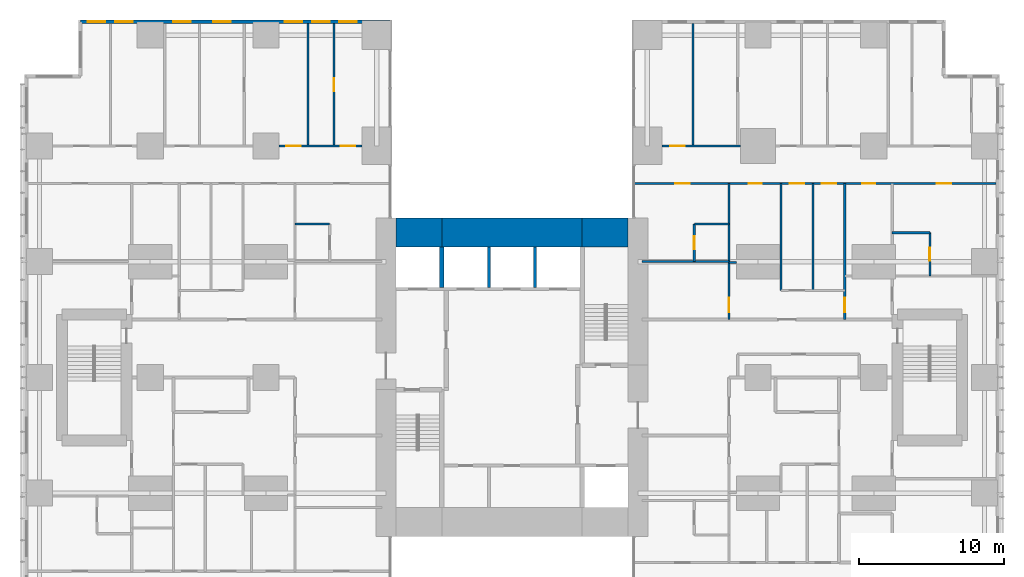
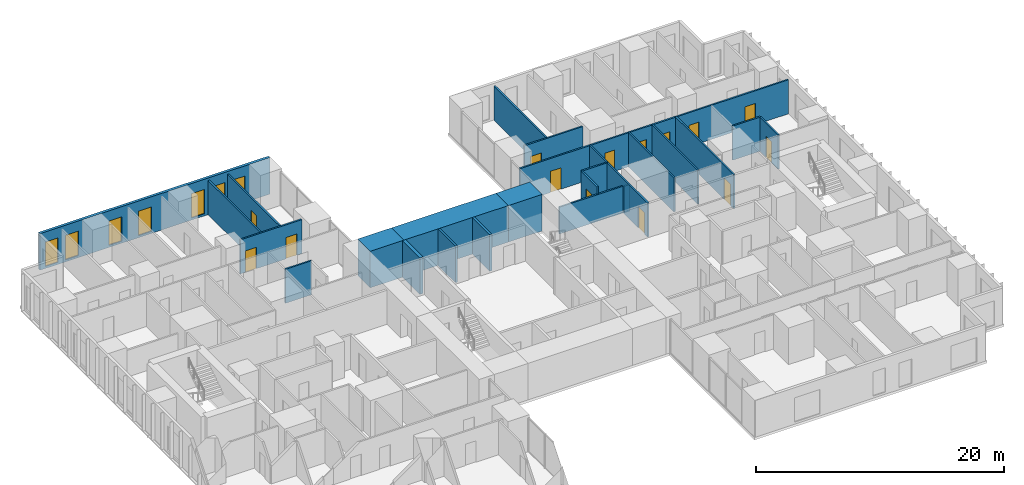
# One storey, part 17 of 20: 24 walls, 14 doors, 7 windows, 21 openings.
"""IFC4 building model written with IfcOpenShell, lengths in metres."""

from ifc_helpers import new_model, si_unit, direction, frame, frame_2d, origin, place, context, subcontext, project, spatial, rectangle, extrude, material, layer, layer_set, type_object, element, fill, save


model = new_model("IFC4")

# Units and contexts
model_context = context("Model", 3, precision=1e-05, world=origin(), true_north=direction((0.0, 1.0)))
body_context = subcontext(model_context, "Body", "Model", "MODEL_VIEW")
ifc_project = project(units=[si_unit("LENGTHUNIT", "METRE"), si_unit("AREAUNIT", "SQUARE_METRE"), si_unit("VOLUMEUNIT", "CUBIC_METRE"), si_unit("PLANEANGLEUNIT", "RADIAN"), si_unit("MASSUNIT", "GRAM", prefix="KILO")], contexts=[model_context])

# Site, building, storey
site_placement = place(None, origin())
site = spatial("IfcSite", under=ifc_project, at=site_placement, CompositionType="ELEMENT")
building_placement = place(site_placement, origin())
building = spatial("IfcBuilding", under=site, at=building_placement, Name="Cleftline Residences", CompositionType="ELEMENT")
storey_placement = place(building_placement, frame((0.0, 0.0, 185.800048828125)))
storey = spatial("IfcBuildingStorey", under=building, at=storey_placement, Name="L48", CompositionType="ELEMENT", Elevation=185.800048828125)

# Walls
ifc_material_1 = material(Name="Concrete B70", Category="concrete")
ifc_layer_1 = layer(ifc_material_1, 2.0)
ifc_layer_set_1 = layer_set([ifc_layer_1], Name="CORE WALL 2000")
wall_type_1 = type_object("IfcWallType", Name="CORE WALL 2000", PredefinedType="SHEAR", material=ifc_layer_set_1)
wall_1_placement = place(storey_placement, frame((25.0, 34.0, 0.0), z_axis=(0.0, 0.0, 1.0), x_axis=(1.0, 0.0, 0.0)))
element("IfcWall", 1, at=wall_1_placement, inside=storey, type_object=wall_type_1, Name="Core wall N1", PredefinedType="SHEAR", context=body_context, shape_type="SweptSolid", body=[
    extrude(rectangle(XDim=3.14990234375, YDim=2.0, at=frame_2d((1.574951171875, 0.0))), origin(), (0.0, 0.0, 1.0), 3.599853515625),
])
wall_2_placement = place(storey_placement, frame((28.14990234375, 34.0, 0.0), z_axis=(0.0, 0.0, 1.0), x_axis=(1.0, 0.0, 0.0)))
element("IfcWall", 2, at=wall_2_placement, inside=storey, type_object=wall_type_1, Name="Core wall N2", PredefinedType="SHEAR", context=body_context, shape_type="SweptSolid", body=[
    extrude(rectangle(XDim=9.7001953125, YDim=2.0, at=frame_2d((4.85009765625, 0.0))), origin(), (0.0, 0.0, 1.0), 3.599853515625),
])
wall_3_placement = place(storey_placement, frame((37.85009765625, 34.0, 0.0), z_axis=(0.0, 0.0, 1.0), x_axis=(1.0, 0.0, 0.0)))
element("IfcWall", 3, at=wall_3_placement, inside=storey, type_object=wall_type_1, Name="Core wall N3", PredefinedType="SHEAR", context=body_context, shape_type="SweptSolid", body=[
    extrude(rectangle(XDim=3.14990234375, YDim=2.0, at=frame_2d((1.574951171875, 0.0))), origin(), (0.0, 0.0, 1.0), 3.599853515625),
])
ifc_material_2 = material(Name="Concrete B70", Category="concrete")
ifc_layer_2 = layer(ifc_material_2, 0.300048828125)
ifc_layer_set_2 = layer_set([ifc_layer_2], Name="CORE WALL 300")
wall_type_2 = type_object("IfcWallType", Name="CORE WALL 300", PredefinedType="SHEAR", material=ifc_layer_set_2)
wall_4_placement = place(storey_placement, frame((28.14990234375, 30.199951171875, 0.0), z_axis=(0.0, 0.0, 1.0), x_axis=(0.0, 1.0, 0.0)))
element("IfcWall", 4, at=wall_4_placement, inside=storey, type_object=wall_type_2, Name="Lift shaft wall", PredefinedType="SHEAR", context=body_context, shape_type="SweptSolid", body=[
    extrude(rectangle(XDim=2.800048828125, YDim=0.300048828125, at=frame_2d((1.39990234375, 0.0))), origin(), (0.0, 0.0, 1.0), 3.599853515625),
])

# Wall, openings, windows
ifc_material_3 = material(Name="Rendered reinforced concrete blockwork", Category="masonry")
ifc_layer_3 = layer(ifc_material_3, 0.25)
ifc_layer_set_3 = layer_set([ifc_layer_3], Name="EXTERNAL WALL 250")
wall_type_3 = type_object("IfcWallType", Name="EXTERNAL WALL 250", PredefinedType="SOLIDWALL", material=ifc_layer_set_3)
wall_5_placement = place(storey_placement, frame((24.574951171875, 48.574951171875, 0.0), z_axis=(0.0, 0.0, 1.0), x_axis=(-1.0, 0.0, 0.0)))
wall_5 = element("IfcWall", 5, at=wall_5_placement, inside=storey, type_object=wall_type_3, Name="External wall", PredefinedType="SOLIDWALL", context=body_context, shape_type="SweptSolid", body=[
    extrude(rectangle(XDim=21.39990234375, YDim=0.25, at=frame_2d((10.699951171875, 0.0))), origin(), (0.0, 0.0, 1.0), 3.599853515625),
])
opening_1_placement = place(wall_5_placement, frame((2.300048828125, 0.0, 0.199951171875)))
opening_1 = element("IfcOpeningElement", 6, at=opening_1_placement, cuts=wall_5, Name="Opening W13", PredefinedType="OPENING", context=body_context, shape_type="SweptSolid", body=[
    extrude(rectangle(XDim=1.199951171875, YDim=2.39990234375, at=frame_2d((0.60009765625, 1.199951171875))), frame((0.0, 0.135009765625, 0.0), z_axis=(0.0, -1.0, 0.0), x_axis=(1.0, 0.0, 0.0)), (0.0, 0.0, 1.0), 0.27001953125),
])
opening_2_placement = place(wall_5_placement, frame((4.175048828125, 0.0, 0.199951171875)))
opening_2 = element("IfcOpeningElement", 7, at=opening_2_placement, cuts=wall_5, Name="Opening W13", PredefinedType="OPENING", context=body_context, shape_type="SweptSolid", body=[
    extrude(rectangle(XDim=1.199951171875, YDim=2.39990234375, at=frame_2d((0.60009765625, 1.199951171875))), frame((0.0, 0.135009765625, 0.0), z_axis=(0.0, -1.0, 0.0), x_axis=(1.0, 0.0, 0.0)), (0.0, 0.0, 1.0), 0.27001953125),
])
opening_3_placement = place(wall_5_placement, frame((6.074951171875, 0.0, 0.199951171875)))
opening_3 = element("IfcOpeningElement", 8, at=opening_3_placement, cuts=wall_5, Name="Opening W13", PredefinedType="OPENING", context=body_context, shape_type="SweptSolid", body=[
    extrude(rectangle(XDim=1.199951171875, YDim=2.39990234375, at=frame_2d((0.60009765625, 1.199951171875))), frame((0.0, 0.135009765625, 0.0), z_axis=(0.0, -1.0, 0.0), x_axis=(1.0, 0.0, 0.0)), (0.0, 0.0, 1.0), 0.27001953125),
])
opening_4_placement = place(wall_5_placement, frame((11.02490234375, 0.0, 0.199951171875)))
opening_4 = element("IfcOpeningElement", 9, at=opening_4_placement, cuts=wall_5, Name="Opening W13", PredefinedType="OPENING", context=body_context, shape_type="SweptSolid", body=[
    extrude(rectangle(XDim=1.199951171875, YDim=2.39990234375, at=frame_2d((0.60009765625, 1.199951171875))), frame((0.0, 0.135009765625, 0.0), z_axis=(0.0, -1.0, 0.0), x_axis=(1.0, 0.0, 0.0)), (0.0, 0.0, 1.0), 0.27001953125),
])
opening_5_placement = place(wall_5_placement, frame((13.77490234375, 0.0, 0.199951171875)))
opening_5 = element("IfcOpeningElement", 10, at=opening_5_placement, cuts=wall_5, Name="Opening W13", PredefinedType="OPENING", context=body_context, shape_type="SweptSolid", body=[
    extrude(rectangle(XDim=1.199951171875, YDim=2.39990234375, at=frame_2d((0.60009765625, 1.199951171875))), frame((0.0, 0.135009765625, 0.0), z_axis=(0.0, -1.0, 0.0), x_axis=(1.0, 0.0, 0.0)), (0.0, 0.0, 1.0), 0.27001953125),
])
opening_6_placement = place(wall_5_placement, frame((17.800048828125, 0.0, 0.199951171875)))
opening_6 = element("IfcOpeningElement", 11, at=opening_6_placement, cuts=wall_5, Name="Opening W13", PredefinedType="OPENING", context=body_context, shape_type="SweptSolid", body=[
    extrude(rectangle(XDim=1.199951171875, YDim=2.39990234375, at=frame_2d((0.60009765625, 1.199951171875))), frame((0.0, 0.135009765625, 0.0), z_axis=(0.0, -1.0, 0.0), x_axis=(1.0, 0.0, 0.0)), (0.0, 0.0, 1.0), 0.27001953125),
])
opening_7_placement = place(wall_5_placement, frame((19.699951171875, 0.0, 0.199951171875)))
opening_7 = element("IfcOpeningElement", 12, at=opening_7_placement, cuts=wall_5, Name="Opening W13", PredefinedType="OPENING", context=body_context, shape_type="SweptSolid", body=[
    extrude(rectangle(XDim=1.199951171875, YDim=2.39990234375, at=frame_2d((0.60009765625, 1.199951171875))), frame((0.0, 0.135009765625, 0.0), z_axis=(0.0, -1.0, 0.0), x_axis=(1.0, 0.0, 0.0)), (0.0, 0.0, 1.0), 0.27001953125),
])
ifc_material_4 = material(Name="Aluminium frame, clear double glazing", Category="aluminium")
window_type = type_object("IfcWindowType", Name="WINDOW 1200X2400", PartitioningType="DOUBLE_PANEL_VERTICAL", PredefinedType="WINDOW", material=ifc_material_4)
window_1_placement = place(opening_1_placement, origin())
window_1 = element("IfcWindow", 13, at=window_1_placement, inside=storey, type_object=window_type, Name="Window", OverallHeight=2.39990234375, OverallWidth=1.199951171875, PartitioningType="SINGLE_PANEL", PredefinedType="WINDOW", context=body_context, shape_type="SweptSolid", body=[
    extrude(rectangle(XDim=1.199951171875, YDim=2.39990234375, at=frame_2d((0.60009765625, 1.199951171875))), frame((0.0, 0.030029296875, 0.0), z_axis=(0.0, -1.0, 0.0), x_axis=(1.0, 0.0, 0.0)), (0.0, 0.0, 1.0), 0.06005859375),
])
fill(opening_1, window_1)
window_2_placement = place(opening_2_placement, origin())
window_2 = element("IfcWindow", 14, at=window_2_placement, inside=storey, type_object=window_type, Name="Window", OverallHeight=2.39990234375, OverallWidth=1.199951171875, PartitioningType="SINGLE_PANEL", PredefinedType="WINDOW", context=body_context, shape_type="SweptSolid", body=[
    extrude(rectangle(XDim=1.199951171875, YDim=2.39990234375, at=frame_2d((0.60009765625, 1.199951171875))), frame((0.0, 0.030029296875, 0.0), z_axis=(0.0, -1.0, 0.0), x_axis=(1.0, 0.0, 0.0)), (0.0, 0.0, 1.0), 0.06005859375),
])
fill(opening_2, window_2)
window_3_placement = place(opening_3_placement, origin())
window_3 = element("IfcWindow", 15, at=window_3_placement, inside=storey, type_object=window_type, Name="Window", OverallHeight=2.39990234375, OverallWidth=1.199951171875, PartitioningType="SINGLE_PANEL", PredefinedType="WINDOW", context=body_context, shape_type="SweptSolid", body=[
    extrude(rectangle(XDim=1.199951171875, YDim=2.39990234375, at=frame_2d((0.60009765625, 1.199951171875))), frame((0.0, 0.030029296875, 0.0), z_axis=(0.0, -1.0, 0.0), x_axis=(1.0, 0.0, 0.0)), (0.0, 0.0, 1.0), 0.06005859375),
])
fill(opening_3, window_3)
window_4_placement = place(opening_4_placement, origin())
window_4 = element("IfcWindow", 16, at=window_4_placement, inside=storey, type_object=window_type, Name="Window", OverallHeight=2.39990234375, OverallWidth=1.199951171875, PartitioningType="SINGLE_PANEL", PredefinedType="WINDOW", context=body_context, shape_type="SweptSolid", body=[
    extrude(rectangle(XDim=1.199951171875, YDim=2.39990234375, at=frame_2d((0.60009765625, 1.199951171875))), frame((0.0, 0.030029296875, 0.0), z_axis=(0.0, -1.0, 0.0), x_axis=(1.0, 0.0, 0.0)), (0.0, 0.0, 1.0), 0.06005859375),
])
fill(opening_4, window_4)
window_5_placement = place(opening_5_placement, origin())
window_5 = element("IfcWindow", 17, at=window_5_placement, inside=storey, type_object=window_type, Name="Window", OverallHeight=2.39990234375, OverallWidth=1.199951171875, PartitioningType="SINGLE_PANEL", PredefinedType="WINDOW", context=body_context, shape_type="SweptSolid", body=[
    extrude(rectangle(XDim=1.199951171875, YDim=2.39990234375, at=frame_2d((0.60009765625, 1.199951171875))), frame((0.0, 0.030029296875, 0.0), z_axis=(0.0, -1.0, 0.0), x_axis=(1.0, 0.0, 0.0)), (0.0, 0.0, 1.0), 0.06005859375),
])
fill(opening_5, window_5)
window_6_placement = place(opening_6_placement, origin())
window_6 = element("IfcWindow", 18, at=window_6_placement, inside=storey, type_object=window_type, Name="Window", OverallHeight=2.39990234375, OverallWidth=1.199951171875, PartitioningType="SINGLE_PANEL", PredefinedType="WINDOW", context=body_context, shape_type="SweptSolid", body=[
    extrude(rectangle(XDim=1.199951171875, YDim=2.39990234375, at=frame_2d((0.60009765625, 1.199951171875))), frame((0.0, 0.030029296875, 0.0), z_axis=(0.0, -1.0, 0.0), x_axis=(1.0, 0.0, 0.0)), (0.0, 0.0, 1.0), 0.06005859375),
])
fill(opening_6, window_6)
window_7_placement = place(opening_7_placement, origin())
window_7 = element("IfcWindow", 19, at=window_7_placement, inside=storey, type_object=window_type, Name="Window", OverallHeight=2.39990234375, OverallWidth=1.199951171875, PartitioningType="SINGLE_PANEL", PredefinedType="WINDOW", context=body_context, shape_type="SweptSolid", body=[
    extrude(rectangle(XDim=1.199951171875, YDim=2.39990234375, at=frame_2d((0.60009765625, 1.199951171875))), frame((0.0, 0.030029296875, 0.0), z_axis=(0.0, -1.0, 0.0), x_axis=(1.0, 0.0, 0.0)), (0.0, 0.0, 1.0), 0.06005859375),
])
fill(opening_7, window_7)

# Walls
ifc_material_5 = material(Name="Gypsum board on steel studs", Category="steel")
ifc_layer_4 = layer(ifc_material_5, 0.14990234375)
ifc_layer_set_4 = layer_set([ifc_layer_4], Name="PARTITION 150")
wall_type_4 = type_object("IfcWallType", Name="PARTITION 150", PredefinedType="PARTITIONING", material=ifc_layer_set_4)
wall_6_placement = place(storey_placement, frame((48.0, 31.949951171875, 0.0), z_axis=(0.0, 0.0, 1.0), x_axis=(1.0, 0.0, 0.0)))
element("IfcWall", 20, at=wall_6_placement, inside=storey, type_object=wall_type_4, Name="Partition", PredefinedType="PARTITIONING", context=body_context, shape_type="SweptSolid", body=[
    extrude(rectangle(XDim=0.5, YDim=0.14990234375, at=frame_2d((0.25, 0.0))), origin(), (0.0, 0.0, 1.0), 2.634033203125),
])
wall_7_placement = place(storey_placement, frame((42.0, 32.0, 0.0), z_axis=(0.0, 0.0, 1.0), x_axis=(1.0, 0.0, 0.0)))
element("IfcWall", 21, at=wall_7_placement, inside=storey, type_object=wall_type_4, Name="Partition", PredefinedType="PARTITIONING", context=body_context, shape_type="SweptSolid", body=[
    extrude(rectangle(XDim=6.0, YDim=0.14990234375, at=frame_2d((3.0, 0.0))), origin(), (0.0, 0.0, 1.0), 2.634033203125),
])
wall_8_placement = place(storey_placement, frame((59.27490234375, 34.0, 0.0), z_axis=(0.0, 0.0, 1.0), x_axis=(1.0, 0.0, 0.0)))
element("IfcWall", 22, at=wall_8_placement, inside=storey, type_object=wall_type_4, Name="Partition", PredefinedType="PARTITIONING", context=body_context, shape_type="SweptSolid", body=[
    extrude(rectangle(XDim=2.60009765625, YDim=0.14990234375, at=frame_2d((1.300048828125, 0.0))), origin(), (0.0, 0.0, 1.0), 3.349853515625),
])
for number, where, z_axis, x_axis, name in (
    (23, (18.0, 34.60009765625, 0.0), (0.0, 0.0, 1.0), (1.0, 0.0, 0.0), "Partition"),
    (24, (45.60009765625, 34.60009765625, 0.0), (0.0, 0.0, 1.0), (1.0, 0.0, 0.0), "Partition"),
):
    element("IfcWall", number, at=place(storey_placement, frame(where, z_axis=z_axis, x_axis=x_axis)), inside=storey, type_object=wall_type_4, Name=name, PredefinedType="PARTITIONING", context=body_context, shape_type="SweptSolid", body=[
        extrude(rectangle(XDim=2.39990234375, YDim=0.14990234375, at=frame_2d((1.199951171875, 0.0))), origin(), (0.0, 0.0, 1.0), 3.349853515625),
    ])

# Wall, openings, doors
wall_9_placement = place(storey_placement, frame((41.43896484375, 37.39990234375, 0.0), z_axis=(0.0, 0.0, 1.0), x_axis=(1.0, 0.0, 0.0)))
wall_9 = element("IfcWall", 25, at=wall_9_placement, inside=storey, type_object=wall_type_4, Name="Partition", PredefinedType="PARTITIONING", context=body_context, shape_type="SweptSolid", body=[
    extrude(rectangle(XDim=25.010986328125, YDim=0.14990234375, at=frame_2d((12.50537109375, 0.0))), origin(), (0.0, 0.0, 1.0), 3.349853515625),
])
opening_8_placement = place(wall_9_placement, frame((10.760986328125, 0.0, 0.0)))
opening_8 = element("IfcOpeningElement", 26, at=opening_8_placement, cuts=wall_9, Name="Opening D2", PredefinedType="OPENING", context=body_context, shape_type="SweptSolid", body=[
    extrude(rectangle(XDim=1.0, YDim=2.10009765625, at=frame_2d((0.5, 1.050048828125))), frame((0.0, 0.0849609375, 0.0), z_axis=(0.0, -1.0, 0.0), x_axis=(1.0, 0.0, 0.0)), (0.0, 0.0, 1.0), 0.169921875),
])
opening_9_placement = place(wall_9_placement, frame((20.923583984375, 0.0, 0.0)))
opening_9 = element("IfcOpeningElement", 27, at=opening_9_placement, cuts=wall_9, Name="Opening D2", PredefinedType="OPENING", context=body_context, shape_type="SweptSolid", body=[
    extrude(rectangle(XDim=1.0, YDim=2.10009765625, at=frame_2d((0.5, 1.050048828125))), frame((0.0, 0.0849609375, 0.0), z_axis=(0.0, -1.0, 0.0), x_axis=(1.0, 0.0, 0.0)), (0.0, 0.0, 1.0), 0.169921875),
])
opening_10_placement = place(wall_9_placement, frame((15.74853515625, 0.0, 0.0)))
opening_10 = element("IfcOpeningElement", 28, at=opening_10_placement, cuts=wall_9, Name="Opening D1", PredefinedType="OPENING", context=body_context, shape_type="SweptSolid", body=[
    extrude(rectangle(XDim=0.89990234375, YDim=2.10009765625, at=frame_2d((0.449951171875, 1.050048828125))), frame((0.0, 0.0849609375, 0.0), z_axis=(0.0, -1.0, 0.0), x_axis=(1.0, 0.0, 0.0)), (0.0, 0.0, 1.0), 0.169921875),
])
opening_11_placement = place(wall_9_placement, frame((12.9609375, 0.0, 0.0)))
opening_11 = element("IfcOpeningElement", 29, at=opening_11_placement, cuts=wall_9, Name="Opening D2", PredefinedType="OPENING", context=body_context, shape_type="SweptSolid", body=[
    extrude(rectangle(XDim=1.0, YDim=2.10009765625, at=frame_2d((0.5, 1.050048828125))), frame((0.0, 0.0849609375, 0.0), z_axis=(0.0, -1.0, 0.0), x_axis=(1.0, 0.0, 0.0)), (0.0, 0.0, 1.0), 0.169921875),
])
opening_12_placement = place(wall_9_placement, frame((7.910888671875, 0.0, 0.0)))
opening_12 = element("IfcOpeningElement", 30, at=opening_12_placement, cuts=wall_9, Name="Opening D1", PredefinedType="OPENING", context=body_context, shape_type="SweptSolid", body=[
    extrude(rectangle(XDim=0.89990234375, YDim=2.10009765625, at=frame_2d((0.449951171875, 1.050048828125))), frame((0.0, 0.0849609375, 0.0), z_axis=(0.0, -1.0, 0.0), x_axis=(1.0, 0.0, 0.0)), (0.0, 0.0, 1.0), 0.169921875),
])
opening_13_placement = place(wall_9_placement, frame((2.8359375, 0.0, 0.0)))
opening_13 = element("IfcOpeningElement", 31, at=opening_13_placement, cuts=wall_9, Name="Opening D2", PredefinedType="OPENING", context=body_context, shape_type="SweptSolid", body=[
    extrude(rectangle(XDim=1.0, YDim=2.10009765625, at=frame_2d((0.5, 1.050048828125))), frame((0.0, 0.0849609375, 0.0), z_axis=(0.0, -1.0, 0.0), x_axis=(1.0, 0.0, 0.0)), (0.0, 0.0, 1.0), 0.169921875),
])
ifc_material_6 = material(Name="Timber veneer on solid core", Category="wood")
door_type_1 = type_object("IfcDoorType", Name="DOOR 1000X2100", OperationType="SINGLE_SWING_LEFT", PredefinedType="DOOR", material=ifc_material_6)
door_1_placement = place(opening_8_placement, origin())
door_1 = element("IfcDoor", 32, at=door_1_placement, inside=storey, type_object=door_type_1, Name="Door to residence hall", OperationType="SINGLE_SWING_RIGHT", OverallHeight=2.10009765625, OverallWidth=1.0, PredefinedType="DOOR", context=body_context, shape_type="SweptSolid", body=[
    extrude(rectangle(XDim=1.0, YDim=2.10009765625, at=frame_2d((0.5, 1.050048828125))), frame((0.0, 0.02490234375, 0.0), z_axis=(0.0, -1.0, 0.0), x_axis=(1.0, 0.0, 0.0)), (0.0, 0.0, 1.0), 0.050048828125),
])
fill(opening_8, door_1)
door_2_placement = place(opening_9_placement, origin())
door_2 = element("IfcDoor", 33, at=door_2_placement, inside=storey, type_object=door_type_1, Name="Door to master bedroom", OperationType="SINGLE_SWING_LEFT", OverallHeight=2.10009765625, OverallWidth=1.0, PredefinedType="DOOR", context=body_context, shape_type="SweptSolid", body=[
    extrude(rectangle(XDim=1.0, YDim=2.10009765625, at=frame_2d((0.5, 1.050048828125))), frame((0.0, 0.02490234375, 0.0), z_axis=(0.0, -1.0, 0.0), x_axis=(1.0, 0.0, 0.0)), (0.0, 0.0, 1.0), 0.050048828125),
])
fill(opening_9, door_2)
door_3_placement = place(opening_11_placement, origin())
door_3 = element("IfcDoor", 34, at=door_3_placement, inside=storey, type_object=door_type_1, Name="Door to media room", OperationType="SINGLE_SWING_LEFT", OverallHeight=2.10009765625, OverallWidth=1.0, PredefinedType="DOOR", context=body_context, shape_type="SweptSolid", body=[
    extrude(rectangle(XDim=1.0, YDim=2.10009765625, at=frame_2d((0.5, 1.050048828125))), frame((0.0, 0.02490234375, 0.0), z_axis=(0.0, -1.0, 0.0), x_axis=(1.0, 0.0, 0.0)), (0.0, 0.0, 1.0), 0.050048828125),
])
fill(opening_11, door_3)
door_4_placement = place(opening_13_placement, origin())
door_4 = element("IfcDoor", 35, at=door_4_placement, inside=storey, type_object=door_type_1, Name="Door to bedroom 5", OperationType="SINGLE_SWING_RIGHT", OverallHeight=2.10009765625, OverallWidth=1.0, PredefinedType="DOOR", context=body_context, shape_type="SweptSolid", body=[
    extrude(rectangle(XDim=1.0, YDim=2.10009765625, at=frame_2d((0.5, 1.050048828125))), frame((0.0, 0.02490234375, 0.0), z_axis=(0.0, -1.0, 0.0), x_axis=(1.0, 0.0, 0.0)), (0.0, 0.0, 1.0), 0.050048828125),
])
fill(opening_13, door_4)
ifc_material_7 = material(Name="Timber veneer on solid core", Category="wood")
door_type_2 = type_object("IfcDoorType", Name="DOOR 900X2100", OperationType="SINGLE_SWING_LEFT", PredefinedType="DOOR", material=ifc_material_7)
door_5_placement = place(opening_10_placement, origin())
door_5 = element("IfcDoor", 36, at=door_5_placement, inside=storey, type_object=door_type_2, Name="Door to bedroom 2 bathroom", OperationType="SINGLE_SWING_LEFT", OverallHeight=2.10009765625, OverallWidth=0.89990234375, PredefinedType="DOOR", context=body_context, shape_type="SweptSolid", body=[
    extrude(rectangle(XDim=0.89990234375, YDim=2.10009765625, at=frame_2d((0.449951171875, 1.050048828125))), frame((0.0, 0.02490234375, 0.0), z_axis=(0.0, -1.0, 0.0), x_axis=(1.0, 0.0, 0.0)), (0.0, 0.0, 1.0), 0.050048828125),
])
fill(opening_10, door_5)
door_6_placement = place(opening_12_placement, origin())
door_6 = element("IfcDoor", 37, at=door_6_placement, inside=storey, type_object=door_type_2, Name="Door to linen store", OperationType="SINGLE_SWING_RIGHT", OverallHeight=2.10009765625, OverallWidth=0.89990234375, PredefinedType="DOOR", context=body_context, shape_type="SweptSolid", body=[
    extrude(rectangle(XDim=0.89990234375, YDim=2.10009765625, at=frame_2d((0.449951171875, 1.050048828125))), frame((0.0, 0.02490234375, 0.0), z_axis=(0.0, -1.0, 0.0), x_axis=(1.0, 0.0, 0.0)), (0.0, 0.0, 1.0), 0.050048828125),
])
fill(opening_12, door_6)

wall_10_placement = place(storey_placement, frame((16.89990234375, 40.0, 0.0), z_axis=(0.0, 0.0, 1.0), x_axis=(1.0, 0.0, 0.0)))
wall_10 = element("IfcWall", 38, at=wall_10_placement, inside=storey, type_object=wall_type_4, Name="Partition", PredefinedType="PARTITIONING", context=body_context, shape_type="SweptSolid", body=[
    extrude(rectangle(XDim=5.75, YDim=0.14990234375, at=frame_2d((2.875, 0.0))), origin(), (0.0, 0.0, 1.0), 3.349853515625),
])
opening_14_placement = place(wall_10_placement, frame((0.5, 0.0, 0.0)))
opening_14 = element("IfcOpeningElement", 39, at=opening_14_placement, cuts=wall_10, Name="Opening D2", PredefinedType="OPENING", context=body_context, shape_type="SweptSolid", body=[
    extrude(rectangle(XDim=1.0, YDim=2.10009765625, at=frame_2d((0.5, 1.050048828125))), frame((0.0, 0.0849609375, 0.0), z_axis=(0.0, -1.0, 0.0), x_axis=(1.0, 0.0, 0.0)), (0.0, 0.0, 1.0), 0.169921875),
])
opening_15_placement = place(wall_10_placement, frame((4.27490234375, 0.0, 0.0)))
opening_15 = element("IfcOpeningElement", 40, at=opening_15_placement, cuts=wall_10, Name="Opening D2", PredefinedType="OPENING", context=body_context, shape_type="SweptSolid", body=[
    extrude(rectangle(XDim=1.0, YDim=2.10009765625, at=frame_2d((0.5, 1.050048828125))), frame((0.0, 0.0849609375, 0.0), z_axis=(0.0, -1.0, 0.0), x_axis=(1.0, 0.0, 0.0)), (0.0, 0.0, 1.0), 0.169921875),
])
door_7_placement = place(opening_14_placement, origin())
door_7 = element("IfcDoor", 41, at=door_7_placement, inside=storey, type_object=door_type_1, Name="Door to bedroom 2", OperationType="SINGLE_SWING_RIGHT", OverallHeight=2.10009765625, OverallWidth=1.0, PredefinedType="DOOR", context=body_context, shape_type="SweptSolid", body=[
    extrude(rectangle(XDim=1.0, YDim=2.10009765625, at=frame_2d((0.5, 1.050048828125))), frame((0.0, 0.02490234375, 0.0), z_axis=(0.0, -1.0, 0.0), x_axis=(1.0, 0.0, 0.0)), (0.0, 0.0, 1.0), 0.050048828125),
])
fill(opening_14, door_7)
door_8_placement = place(opening_15_placement, origin())
door_8 = element("IfcDoor", 42, at=door_8_placement, inside=storey, type_object=door_type_1, Name="Door to bedroom 3", OperationType="SINGLE_SWING_LEFT", OverallHeight=2.10009765625, OverallWidth=1.0, PredefinedType="DOOR", context=body_context, shape_type="SweptSolid", body=[
    extrude(rectangle(XDim=1.0, YDim=2.10009765625, at=frame_2d((0.5, 1.050048828125))), frame((0.0, 0.02490234375, 0.0), z_axis=(0.0, -1.0, 0.0), x_axis=(1.0, 0.0, 0.0)), (0.0, 0.0, 1.0), 0.050048828125),
])
fill(opening_15, door_8)

# Wall, opening, door
wall_11_placement = place(storey_placement, frame((43.35009765625, 40.0, 0.0), z_axis=(0.0, 0.0, 1.0), x_axis=(1.0, 0.0, 0.0)))
wall_11 = element("IfcWall", 43, at=wall_11_placement, inside=storey, type_object=wall_type_4, Name="Partition", PredefinedType="PARTITIONING", context=body_context, shape_type="SweptSolid", body=[
    extrude(rectangle(XDim=5.449951171875, YDim=0.14990234375, at=frame_2d((2.72509765625, 0.0))), origin(), (0.0, 0.0, 1.0), 3.349853515625),
])
opening_16_placement = place(wall_11_placement, frame((0.574951171875, 0.0, 0.0)))
opening_16 = element("IfcOpeningElement", 44, at=opening_16_placement, cuts=wall_11, Name="Opening D2", PredefinedType="OPENING", context=body_context, shape_type="SweptSolid", body=[
    extrude(rectangle(XDim=1.0, YDim=2.10009765625, at=frame_2d((0.5, 1.050048828125))), frame((0.0, 0.0849609375, 0.0), z_axis=(0.0, -1.0, 0.0), x_axis=(1.0, 0.0, 0.0)), (0.0, 0.0, 1.0), 0.169921875),
])
door_9_placement = place(opening_16_placement, origin())
door_9 = element("IfcDoor", 45, at=door_9_placement, inside=storey, type_object=door_type_1, Name="Door to family room", OperationType="SINGLE_SWING_RIGHT", OverallHeight=2.10009765625, OverallWidth=1.0, PredefinedType="DOOR", context=body_context, shape_type="SweptSolid", body=[
    extrude(rectangle(XDim=1.0, YDim=2.10009765625, at=frame_2d((0.5, 1.050048828125))), frame((0.0, 0.02490234375, 0.0), z_axis=(0.0, -1.0, 0.0), x_axis=(1.0, 0.0, 0.0)), (0.0, 0.0, 1.0), 0.050048828125),
])
fill(opening_16, door_9)

# Wall
wall_12_placement = place(storey_placement, frame((18.89990234375, 40.0, 0.0), z_axis=(0.0, 0.0, 1.0), x_axis=(0.0, 1.0, 0.0)))
element("IfcWall", 46, at=wall_12_placement, inside=storey, type_object=wall_type_4, Name="Partition", PredefinedType="PARTITIONING", context=body_context, shape_type="SweptSolid", body=[
    extrude(rectangle(XDim=8.449951171875, YDim=0.14990234375, at=frame_2d((4.22509765625, 0.0))), origin(), (0.0, 0.0, 1.0), 3.349853515625),
])

# Wall, opening, door
wall_13_placement = place(storey_placement, frame((20.699951171875, 40.0, 0.0), z_axis=(0.0, 0.0, 1.0), x_axis=(0.0, 1.0, 0.0)))
wall_13 = element("IfcWall", 47, at=wall_13_placement, inside=storey, type_object=wall_type_4, Name="Partition", PredefinedType="PARTITIONING", context=body_context, shape_type="SweptSolid", body=[
    extrude(rectangle(XDim=8.449951171875, YDim=0.14990234375, at=frame_2d((4.22509765625, 0.0))), origin(), (0.0, 0.0, 1.0), 3.349853515625),
])
opening_17_placement = place(wall_13_placement, frame((3.77490234375, 0.0, 0.0)))
opening_17 = element("IfcOpeningElement", 48, at=opening_17_placement, cuts=wall_13, Name="Opening D1", PredefinedType="OPENING", context=body_context, shape_type="SweptSolid", body=[
    extrude(rectangle(XDim=0.89990234375, YDim=2.10009765625, at=frame_2d((0.449951171875, 1.050048828125))), frame((0.0, 0.0849609375, 0.0), z_axis=(0.0, -1.0, 0.0), x_axis=(1.0, 0.0, 0.0)), (0.0, 0.0, 1.0), 0.169921875),
])
door_10_placement = place(opening_17_placement, origin())
door_10 = element("IfcDoor", 49, at=door_10_placement, inside=storey, type_object=door_type_2, Name="Door to en-suite bathroom 3", OperationType="SINGLE_SWING_LEFT", OverallHeight=2.10009765625, OverallWidth=0.89990234375, PredefinedType="DOOR", context=body_context, shape_type="SweptSolid", body=[
    extrude(rectangle(XDim=0.89990234375, YDim=2.10009765625, at=frame_2d((0.449951171875, 1.050048828125))), frame((0.0, 0.02490234375, 0.0), z_axis=(0.0, -1.0, 0.0), x_axis=(1.0, 0.0, 0.0)), (0.0, 0.0, 1.0), 0.050048828125),
])
fill(opening_17, door_10)

# Wall
wall_14_placement = place(storey_placement, frame((45.5, 40.0, 0.0), z_axis=(0.0, 0.0, 1.0), x_axis=(0.0, 1.0, 0.0)))
element("IfcWall", 50, at=wall_14_placement, inside=storey, type_object=wall_type_4, Name="Partition", PredefinedType="PARTITIONING", context=body_context, shape_type="SweptSolid", body=[
    extrude(rectangle(XDim=8.449951171875, YDim=0.14990234375, at=frame_2d((4.22509765625, 0.0))), origin(), (0.0, 0.0, 1.0), 3.349853515625),
])

# Wall, opening, door
wall_15_placement = place(storey_placement, frame((45.60009765625, 32.0, 0.0), z_axis=(0.0, 0.0, 1.0), x_axis=(0.0, 1.0, 0.0)))
wall_15 = element("IfcWall", 51, at=wall_15_placement, inside=storey, type_object=wall_type_4, Name="Partition", PredefinedType="PARTITIONING", context=body_context, shape_type="SweptSolid", body=[
    extrude(rectangle(XDim=2.60009765625, YDim=0.14990234375, at=frame_2d((1.300048828125, 0.0))), origin(), (0.0, 0.0, 1.0), 3.349853515625),
])
opening_18_placement = place(wall_15_placement, frame((0.85009765625, 0.0, 0.0)))
opening_18 = element("IfcOpeningElement", 52, at=opening_18_placement, cuts=wall_15, Name="Opening D1", PredefinedType="OPENING", context=body_context, shape_type="SweptSolid", body=[
    extrude(rectangle(XDim=0.89990234375, YDim=2.10009765625, at=frame_2d((0.449951171875, 1.050048828125))), frame((0.0, 0.0849609375, 0.0), z_axis=(0.0, -1.0, 0.0), x_axis=(1.0, 0.0, 0.0)), (0.0, 0.0, 1.0), 0.169921875),
])
door_11_placement = place(opening_18_placement, origin())
door_11 = element("IfcDoor", 53, at=door_11_placement, inside=storey, type_object=door_type_2, Name="Door to en-suite bathroom 5", OperationType="SINGLE_SWING_LEFT", OverallHeight=2.10009765625, OverallWidth=0.89990234375, PredefinedType="DOOR", context=body_context, shape_type="SweptSolid", body=[
    extrude(rectangle(XDim=0.89990234375, YDim=2.10009765625, at=frame_2d((0.449951171875, 1.050048828125))), frame((0.0, 0.02490234375, 0.0), z_axis=(0.0, -1.0, 0.0), x_axis=(1.0, 0.0, 0.0)), (0.0, 0.0, 1.0), 0.050048828125),
])
fill(opening_18, door_11)

wall_16_placement = place(storey_placement, frame((48.0, 28.0, 0.0), z_axis=(0.0, 0.0, 1.0), x_axis=(0.0, 1.0, 0.0)))
wall_16 = element("IfcWall", 54, at=wall_16_placement, inside=storey, type_object=wall_type_4, Name="Partition", PredefinedType="PARTITIONING", context=body_context, shape_type="SweptSolid", body=[
    extrude(rectangle(XDim=9.39990234375, YDim=0.14990234375, at=frame_2d((4.699951171875, 0.0))), origin(), (0.0, 0.0, 1.0), 3.349853515625),
])
opening_19_placement = place(wall_16_placement, frame((0.5, 0.0, 0.0)))
opening_19 = element("IfcOpeningElement", 55, at=opening_19_placement, cuts=wall_16, Name="Opening D2", PredefinedType="OPENING", context=body_context, shape_type="SweptSolid", body=[
    extrude(rectangle(XDim=1.0, YDim=2.10009765625, at=frame_2d((0.5, 1.050048828125))), frame((0.0, 0.0849609375, 0.0), z_axis=(0.0, -1.0, 0.0), x_axis=(1.0, 0.0, 0.0)), (0.0, 0.0, 1.0), 0.169921875),
])
door_12_placement = place(opening_19_placement, origin())
door_12 = element("IfcDoor", 56, at=door_12_placement, inside=storey, type_object=door_type_1, Name="Door to morning kitchen", OperationType="SINGLE_SWING_RIGHT", OverallHeight=2.10009765625, OverallWidth=1.0, PredefinedType="DOOR", context=body_context, shape_type="SweptSolid", body=[
    extrude(rectangle(XDim=1.0, YDim=2.10009765625, at=frame_2d((0.5, 1.050048828125))), frame((0.0, 0.02490234375, 0.0), z_axis=(0.0, -1.0, 0.0), x_axis=(1.0, 0.0, 0.0)), (0.0, 0.0, 1.0), 0.050048828125),
])
fill(opening_19, door_12)

# Walls
for number, where, z_axis, x_axis, name in (
    (57, (51.60009765625, 30.0, 0.0), (0.0, 0.0, 1.0), (0.0, 1.0, 0.0), "Partition"),
    (58, (53.800048828125, 30.0, 0.0), (0.0, 0.0, 1.0), (0.0, 1.0, 0.0), "Partition"),
):
    element("IfcWall", number, at=place(storey_placement, frame(where, z_axis=z_axis, x_axis=x_axis)), inside=storey, type_object=wall_type_4, Name=name, PredefinedType="PARTITIONING", context=body_context, shape_type="SweptSolid", body=[
        extrude(rectangle(XDim=7.39990234375, YDim=0.14990234375, at=frame_2d((3.699951171875, 0.0))), origin(), (0.0, 0.0, 1.0), 3.349853515625),
    ])

# Wall, opening, door
wall_17_placement = place(storey_placement, frame((56.0, 28.0, 0.0), z_axis=(0.0, 0.0, 1.0), x_axis=(0.0, 1.0, 0.0)))
wall_17 = element("IfcWall", 59, at=wall_17_placement, inside=storey, type_object=wall_type_4, Name="Partition", PredefinedType="PARTITIONING", context=body_context, shape_type="SweptSolid", body=[
    extrude(rectangle(XDim=9.39990234375, YDim=0.14990234375, at=frame_2d((4.699951171875, 0.0))), origin(), (0.0, 0.0, 1.0), 3.349853515625),
])
opening_20_placement = place(wall_17_placement, frame((0.5, 0.0, 0.0)))
opening_20 = element("IfcOpeningElement", 60, at=opening_20_placement, cuts=wall_17, Name="Opening D2F30", PredefinedType="OPENING", context=body_context, shape_type="SweptSolid", body=[
    extrude(rectangle(XDim=1.0, YDim=2.10009765625, at=frame_2d((0.5, 1.050048828125))), frame((0.0, 0.0849609375, 0.0), z_axis=(0.0, -1.0, 0.0), x_axis=(1.0, 0.0, 0.0)), (0.0, 0.0, 1.0), 0.169921875),
])
ifc_material_8 = material(Name="Timber veneer on solid core", Category="wood")
door_type_3 = type_object("IfcDoorType", Name="DOOR 1000X2100 EI 30", OperationType="SINGLE_SWING_LEFT", PredefinedType="DOOR", material=ifc_material_8)
door_13_placement = place(opening_20_placement, origin())
door_13 = element("IfcDoor", 61, at=door_13_placement, inside=storey, type_object=door_type_3, Name="Door to residence lobby (service)", OperationType="SINGLE_SWING_RIGHT", OverallHeight=2.10009765625, OverallWidth=1.0, PredefinedType="DOOR", context=body_context, shape_type="SweptSolid", body=[
    extrude(rectangle(XDim=1.0, YDim=2.10009765625, at=frame_2d((0.5, 1.050048828125))), frame((0.0, 0.02490234375, 0.0), z_axis=(0.0, -1.0, 0.0), x_axis=(1.0, 0.0, 0.0)), (0.0, 0.0, 1.0), 0.050048828125),
])
fill(opening_20, door_13)

wall_18_placement = place(storey_placement, frame((61.875, 31.0, 0.0), z_axis=(0.0, 0.0, 1.0), x_axis=(0.0, 1.0, 0.0)))
wall_18 = element("IfcWall", 62, at=wall_18_placement, inside=storey, type_object=wall_type_4, Name="Partition", PredefinedType="PARTITIONING", context=body_context, shape_type="SweptSolid", body=[
    extrude(rectangle(XDim=3.0, YDim=0.14990234375, at=frame_2d((1.5, 0.0))), origin(), (0.0, 0.0, 1.0), 3.349853515625),
])
opening_21_placement = place(wall_18_placement, frame((1.050048828125, 0.0, 0.0)))
opening_21 = element("IfcOpeningElement", 63, at=opening_21_placement, cuts=wall_18, Name="Opening D1", PredefinedType="OPENING", context=body_context, shape_type="SweptSolid", body=[
    extrude(rectangle(XDim=0.89990234375, YDim=2.10009765625, at=frame_2d((0.449951171875, 1.050048828125))), frame((0.0, 0.0849609375, 0.0), z_axis=(0.0, -1.0, 0.0), x_axis=(1.0, 0.0, 0.0)), (0.0, 0.0, 1.0), 0.169921875),
])
door_14_placement = place(opening_21_placement, origin())
door_14 = element("IfcDoor", 64, at=door_14_placement, inside=storey, type_object=door_type_2, Name="Door to master bathroom", OperationType="SINGLE_SWING_LEFT", OverallHeight=2.10009765625, OverallWidth=0.89990234375, PredefinedType="DOOR", context=body_context, shape_type="SweptSolid", body=[
    extrude(rectangle(XDim=0.89990234375, YDim=2.10009765625, at=frame_2d((0.449951171875, 1.050048828125))), frame((0.0, 0.02490234375, 0.0), z_axis=(0.0, -1.0, 0.0), x_axis=(1.0, 0.0, 0.0)), (0.0, 0.0, 1.0), 0.050048828125),
])
fill(opening_21, door_14)

# Walls
ifc_material_9 = material(Name="Concrete blockwork, fire rated", Category="masonry")
ifc_layer_5 = layer(ifc_material_9, 0.199951171875)
ifc_layer_set_5 = layer_set([ifc_layer_5], Name="SHAFT WALL 200")
wall_type_5 = type_object("IfcWallType", Name="SHAFT WALL 200", PredefinedType="PARTITIONING", material=ifc_layer_set_5)
for number, where, z_axis, x_axis, name in (
    (65, (31.39990234375, 30.199951171875, 0.0), (0.0, 0.0, 1.0), (0.0, 1.0, 0.0), "Lift shaft wall"),
    (66, (34.60009765625, 30.199951171875, 0.0), (0.0, 0.0, 1.0), (0.0, 1.0, 0.0), "Lift shaft wall"),
):
    element("IfcWall", number, at=place(storey_placement, frame(where, z_axis=z_axis, x_axis=x_axis)), inside=storey, type_object=wall_type_5, Name=name, PredefinedType="PARTITIONING", context=body_context, shape_type="SweptSolid", body=[
        extrude(rectangle(XDim=2.800048828125, YDim=0.199951171875, at=frame_2d((1.39990234375, 0.0))), origin(), (0.0, 0.0, 1.0), 3.599853515625),
    ])

save(model, "model.ifc")
